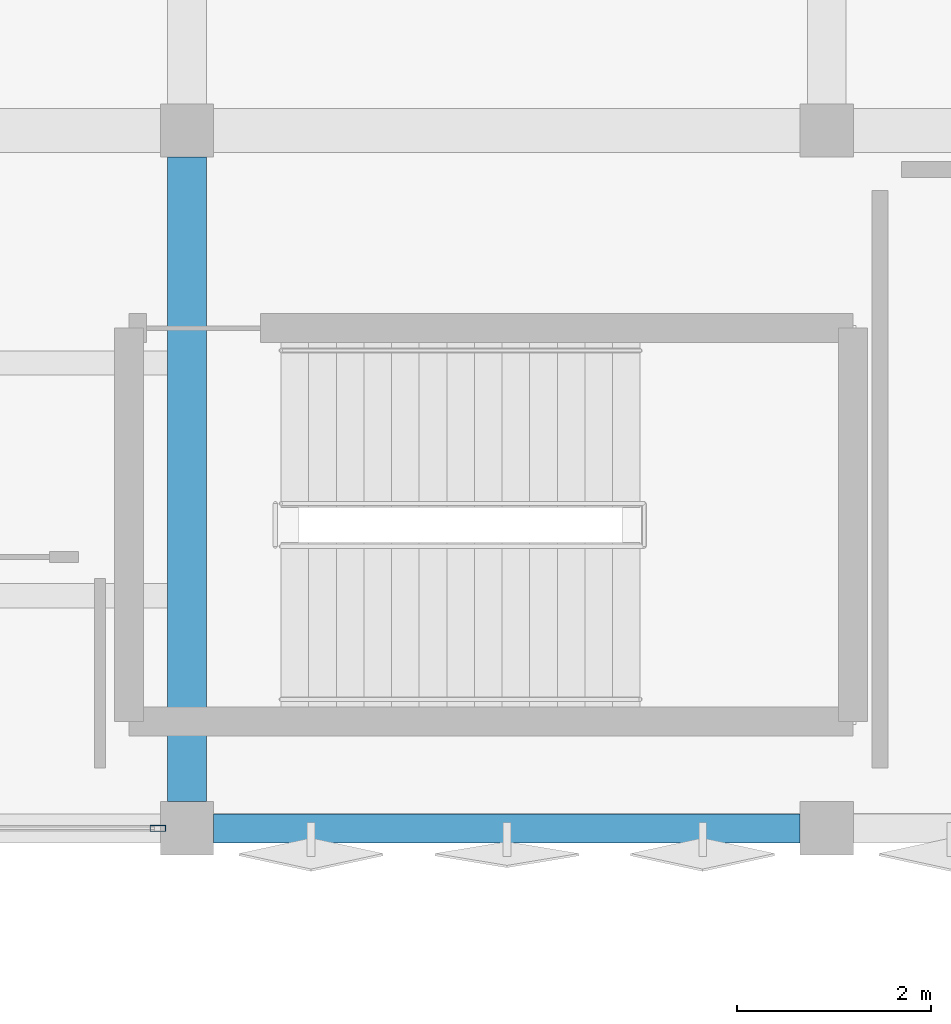
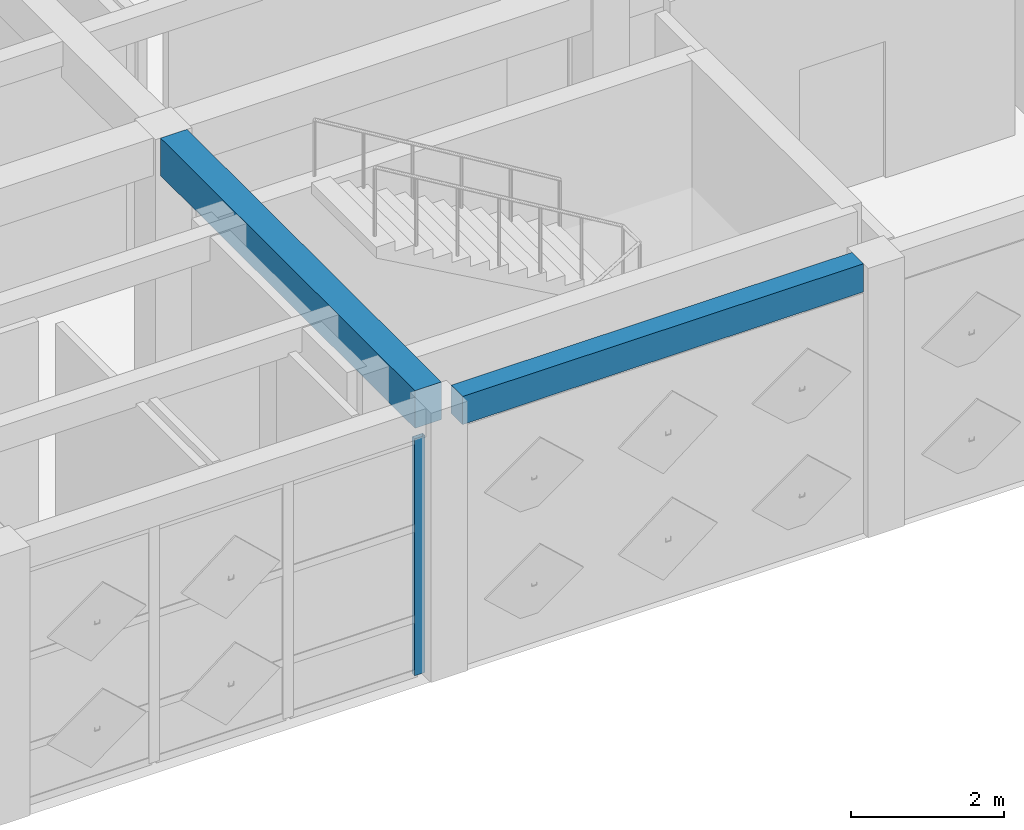
# One storey, part 14 of 36: 2 beams, 1 member, 1 element without a shape of its own.
"""IFC4 building model written with IfcOpenShell, lengths in metres."""

from ifc_helpers import new_model, si_unit, direction, frame, origin, origin_2d, place, context, subcontext, project, spatial, rectangle, hollow_rectangle, extrude, material, layer, layer_set, material_profile, profile_set, type_object, element, aggregate, save


model = new_model("IFC4")

# Units and contexts
model_context = context("Model", 3, precision=1e-05, world=origin(), true_north=direction((0.0, 1.0)))
body_context = subcontext(model_context, "Body", "Model", "MODEL_VIEW")
ifc_project = project(units=[si_unit("LENGTHUNIT", "METRE"), si_unit("AREAUNIT", "SQUARE_METRE"), si_unit("VOLUMEUNIT", "CUBIC_METRE"), si_unit("PLANEANGLEUNIT", "RADIAN"), si_unit("MASSUNIT", "GRAM", prefix="KILO")], contexts=[model_context])

# Site, building, storey
site_placement = place(None, origin())
site = spatial("IfcSite", under=ifc_project, at=site_placement, CompositionType="ELEMENT")
building_placement = place(site_placement, origin())
building = spatial("IfcBuilding", under=site, at=building_placement, Name="Kharisveld Research Institute", CompositionType="ELEMENT")
storey_placement = place(building_placement, frame((0.0, 0.0, 27.60009765625)))
storey = spatial("IfcBuildingStorey", under=building, at=storey_placement, Name="L06", CompositionType="ELEMENT", Elevation=27.60009765625)

# Beam
ifc_material_1 = material(Name="Concrete C40/50", Category="concrete")
ifc_material_profile_1 = material_profile(ifc_material_1, rectangle(XDim=0.39990234375, YDim=0.60009765625, at=origin_2d()))
ifc_profile_set_1 = profile_set([ifc_material_profile_1], Name="Concrete C40/50")
beam_type_1 = type_object("IfcBeamType", Name="BM_RC_400x600", PredefinedType="BEAM", material=ifc_profile_set_1)
beam_1_placement = place(storey_placement, frame((147.60009765625, 39.47509765625, 4.0), z_axis=(0.0, 1.0, 0.0), x_axis=(-1.0, 0.0, 0.0)))
element("IfcBeam", 1, at=beam_1_placement, inside=storey, type_object=beam_type_1, Name="BM:V2:L06:V5_0", PredefinedType="BEAM", context=body_context, shape_type="SweptSolid", body=[
    extrude(rectangle(XDim=0.39990234375, YDim=0.60009765625, at=origin_2d()), origin(), (0.0, 0.0, 1.0), 6.64990234375),
])

# Curtain wall, member
ifc_material_2 = material(Name="Thermally Broken Aluminium Curtain Wall", Category="aluminium")
ifc_layer = layer(ifc_material_2, 0.159912109375)
ifc_layer_set = layer_set([ifc_layer], Name="CW_SYS_06")
curtain_wall_type = type_object("IfcCurtainWallType", Name="CW_SYS_06", PredefinedType="NOTDEFINED", material=ifc_layer_set)
curtain_wall_placement = place(storey_placement, origin())
curtain_wall = element("IfcCurtainWall", 2, at=curtain_wall_placement, inside=storey, type_object=curtain_wall_type, Name="CW:V2:L06:S5", PredefinedType="NOTDEFINED")
ifc_material_3 = material(Name="Anodised Aluminium AW-6063-T6", Category="aluminium")
ifc_material_profile_2 = material_profile(ifc_material_3, hollow_rectangle(XDim=0.06494140625, YDim=0.159912109375, WallThickness=0.00390625, at=origin_2d()))
ifc_profile_set_2 = profile_set([ifc_material_profile_2], Name="Anodised Aluminium AW-6063-T6")
member_type = type_object("IfcMemberType", Name="CW_MUL_160", PredefinedType="MULLION", material=ifc_profile_set_2)
member_placement = place(storey_placement, frame((147.297607421875, 39.199951171875, 0.0), z_axis=(0.0, 0.0, 1.0), x_axis=(0.0, -1.0, 0.0)))
member = element("IfcMember", 3, at=member_placement, type_object=member_type, Name="CW-06 mullion 1", PredefinedType="MULLION", context=body_context, shape_type="SweptSolid", body=[
    extrude(hollow_rectangle(XDim=0.06494140625, YDim=0.159912109375, WallThickness=0.00390625, at=origin_2d()), origin(), (0.0, 0.0, 1.0), 3.77978515625),
])
aggregate(curtain_wall, [member])

# Beam
ifc_material_4 = material(Name="Concrete C40/50", Category="concrete")
ifc_material_profile_3 = material_profile(ifc_material_4, rectangle(XDim=0.300048828125, YDim=0.449951171875, at=origin_2d()))
ifc_profile_set_3 = profile_set([ifc_material_profile_3], Name="Concrete C40/50")
beam_type_2 = type_object("IfcBeamType", Name="SP_RC_300x450", PredefinedType="SPANDREL", material=ifc_profile_set_3)
beam_2_placement = place(storey_placement, frame((147.875, 39.199951171875, 4.074951171875), z_axis=(1.0, 0.0, 0.0), x_axis=(0.0, 1.0, 0.0)))
element("IfcBeam", 4, at=beam_2_placement, inside=storey, type_object=beam_type_2, Name="BM:V2:L06:U5_0", PredefinedType="SPANDREL", context=body_context, shape_type="SweptSolid", body=[
    extrude(rectangle(XDim=0.300048828125, YDim=0.449951171875, at=origin_2d()), origin(), (0.0, 0.0, 1.0), 6.050048828125),
])

save(model, "model.ifc")
